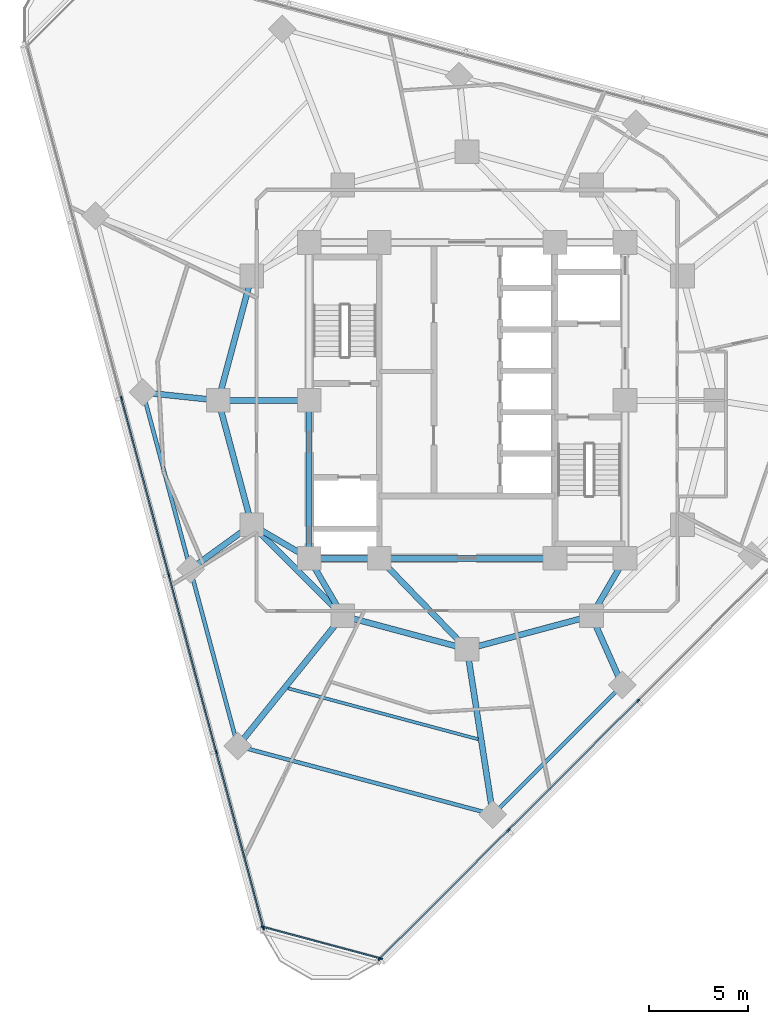
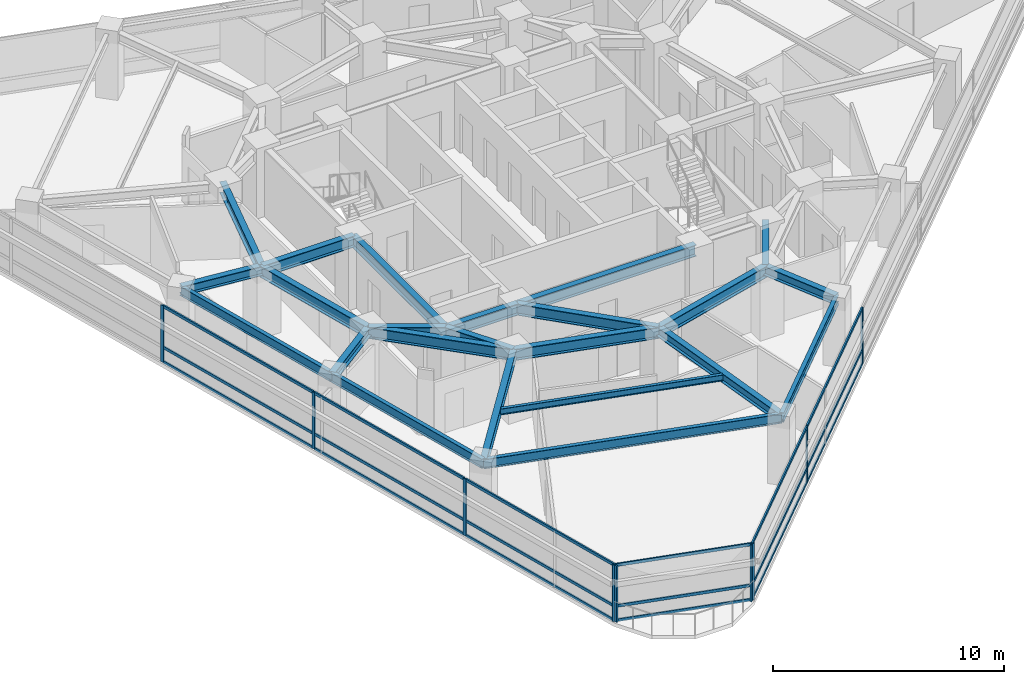
# One storey, part 2 of 14: 27 members, 23 beams, 3 elements without a shape of their own.
"""IFC4 building model written with IfcOpenShell, lengths in metres."""

from ifc_helpers import new_model, si_unit, direction, frame, origin, origin_2d, place, context, subcontext, project, spatial, rectangle, i_section, extrude, material, layer, layer_set, material_profile, profile_set, type_object, element, aggregate, save


model = new_model("IFC4")

# Units and contexts
model_context = context("Model", 3, precision=1e-05, world=origin(), true_north=direction((0.0, 1.0)))
body_context = subcontext(model_context, "Body", "Model", "MODEL_VIEW")
ifc_project = project(units=[si_unit("LENGTHUNIT", "METRE"), si_unit("AREAUNIT", "SQUARE_METRE"), si_unit("VOLUMEUNIT", "CUBIC_METRE"), si_unit("PLANEANGLEUNIT", "RADIAN"), si_unit("MASSUNIT", "GRAM", prefix="KILO")], contexts=[model_context])

# Site, building, storey
site_placement = place(None, origin())
site = spatial("IfcSite", under=ifc_project, at=site_placement, CompositionType="ELEMENT")
building_placement = place(site_placement, origin())
building = spatial("IfcBuilding", under=site, at=building_placement, Name="Terralouvre Media Tower", CompositionType="ELEMENT")
storey_placement = place(building_placement, frame((0.0, 0.0, 187.89990234375)))
storey = spatial("IfcBuildingStorey", under=building, at=storey_placement, Name="L48", CompositionType="ELEMENT", Elevation=187.89990234375)

# Beam
ifc_material_1 = material(Name="Structural steel S355J2", Category="steel")
ifc_material_profile_1 = material_profile(ifc_material_1, i_section(OverallWidth=0.159912109375, OverallDepth=0.330078125, WebThickness=0.007568359375, FlangeThickness=0.011474609375, at=origin_2d()), Name="IPE 330")
ifc_profile_set_1 = profile_set([ifc_material_profile_1], Name="Structural steel S355J2")
beam_type_1 = type_object("IfcBeamType", Name="Composite Floor Joist J-IPE330 (IPE 330)", PredefinedType="JOIST", material=ifc_profile_set_1)
beam_1_placement = place(storey_placement, frame((-9.067626953125, -14.58349609375, 3.335205078125), z_axis=(0.965923672222, -0.258827084055, 0.0), x_axis=(0.258827084055, 0.965923672222, 0.0)))
element("IfcBeam", 1, at=beam_1_placement, inside=storey, type_object=beam_type_1, Name="L48 Framing Beam JT-L48-01", PredefinedType="JOIST", context=body_context, shape_type="SweptSolid", body=[
    extrude(i_section(OverallWidth=0.159912109375, OverallDepth=0.330078125, WebThickness=0.007568359375, FlangeThickness=0.011474609375, at=origin_2d()), origin(), (0.0, 0.0, 1.0), 9.96826171875),
])

# Curtain wall, members
ifc_material_2 = material(Name="Low-iron laminated double glazing with solar-control coating", Category="glass")
ifc_layer_1 = layer(ifc_material_2, 0.1650390625, Name="Production Studio Tower Curtain Wall CW-03")
ifc_layer_set_1 = layer_set([ifc_layer_1], Name="Low-iron laminated double glazing with solar-control coating")
curtain_wall_type_1 = type_object("IfcCurtainWallType", Name="Production Studio Tower Curtain Wall CW-03", PredefinedType="NOTDEFINED", material=ifc_layer_set_1)
curtain_wall_1_placement = place(storey_placement, origin())
curtain_wall_1 = element("IfcCurtainWall", 2, at=curtain_wall_1_placement, inside=storey, type_object=curtain_wall_type_1, Name="L48 Facade Curtain Wall F0", PredefinedType="NOTDEFINED")
ifc_material_3 = material(Name="Anodised extruded aluminium 6063-T6", Category="aluminium")
ifc_material_profile_2 = material_profile(ifc_material_3, rectangle(XDim=0.074951171875, YDim=0.14990234375, at=origin_2d()), Name="ALU 75x150")
ifc_profile_set_2 = profile_set([ifc_material_profile_2], Name="Anodised extruded aluminium 6063-T6")
member_type_1 = type_object("IfcMemberType", Name="Curtain-Wall Horizontal Transom TR-150", PredefinedType="USERDEFINED", material=ifc_profile_set_2)
member_1_placement = place(storey_placement, frame((-4.399658203125, -28.27587890625, 0.03759765625), z_axis=(0.707106781187, 0.707106781187, 0.0), x_axis=(-0.707106781187, 0.707106781187, 0.0)))
member_1 = element("IfcMember", 3, at=member_1_placement, type_object=member_type_1, Name="CW-03 transom 1.1", ObjectType="TRANSOM", PredefinedType="USERDEFINED", context=body_context, shape_type="SweptSolid", body=[
    extrude(rectangle(XDim=0.074951171875, YDim=0.14990234375, at=origin_2d()), origin(), (0.0, 0.0, 1.0), 9.15966796875),
])
member_2_placement = place(storey_placement, frame((-4.399658203125, -28.27587890625, 0.800048828125), z_axis=(0.707106781187, 0.707106781187, 0.0), x_axis=(-0.707106781187, 0.707106781187, 0.0)))
member_2 = element("IfcMember", 4, at=member_2_placement, type_object=member_type_1, Name="CW-03 transom 1.2", ObjectType="TRANSOM", PredefinedType="USERDEFINED", context=body_context, shape_type="SweptSolid", body=[
    extrude(rectangle(XDim=0.074951171875, YDim=0.14990234375, at=origin_2d()), origin(), (0.0, 0.0, 1.0), 9.15966796875),
])
member_3_placement = place(storey_placement, frame((-4.399658203125, -28.27587890625, 2.962646484375), z_axis=(0.707106781187, 0.707106781187, 0.0), x_axis=(-0.707106781187, 0.707106781187, 0.0)))
member_3 = element("IfcMember", 5, at=member_3_placement, type_object=member_type_1, Name="CW-03 transom 1.3", ObjectType="TRANSOM", PredefinedType="USERDEFINED", context=body_context, shape_type="SweptSolid", body=[
    extrude(rectangle(XDim=0.074951171875, YDim=0.14990234375, at=origin_2d()), origin(), (0.0, 0.0, 1.0), 9.15966796875),
])
member_4_placement = place(storey_placement, frame((2.130126953125, -21.74609375, 0.03759765625), z_axis=(0.707093508293, 0.707120053831, 0.0), x_axis=(-0.707120053831, 0.707093508293, 0.0)))
member_4 = element("IfcMember", 6, at=member_4_placement, type_object=member_type_1, Name="CW-03 transom 2.1", ObjectType="TRANSOM", PredefinedType="USERDEFINED", context=body_context, shape_type="SweptSolid", body=[
    extrude(rectangle(XDim=0.074951171875, YDim=0.14990234375, at=origin_2d()), origin(), (0.0, 0.0, 1.0), 9.197021484375),
])
member_5_placement = place(storey_placement, frame((2.130126953125, -21.74609375, 0.800048828125), z_axis=(0.707093508293, 0.707120053831, 0.0), x_axis=(-0.707120053831, 0.707093508293, 0.0)))
member_5 = element("IfcMember", 7, at=member_5_placement, type_object=member_type_1, Name="CW-03 transom 2.2", ObjectType="TRANSOM", PredefinedType="USERDEFINED", context=body_context, shape_type="SweptSolid", body=[
    extrude(rectangle(XDim=0.074951171875, YDim=0.14990234375, at=origin_2d()), origin(), (0.0, 0.0, 1.0), 9.197021484375),
])
member_6_placement = place(storey_placement, frame((2.130126953125, -21.74609375, 2.962646484375), z_axis=(0.707093508293, 0.707120053831, 0.0), x_axis=(-0.707120053831, 0.707093508293, 0.0)))
member_6 = element("IfcMember", 8, at=member_6_placement, type_object=member_type_1, Name="CW-03 transom 2.3", ObjectType="TRANSOM", PredefinedType="USERDEFINED", context=body_context, shape_type="SweptSolid", body=[
    extrude(rectangle(XDim=0.074951171875, YDim=0.14990234375, at=origin_2d()), origin(), (0.0, 0.0, 1.0), 9.197021484375),
])

curtain_wall_2_placement = place(storey_placement, origin())
curtain_wall_2 = element("IfcCurtainWall", 9, at=curtain_wall_2_placement, inside=storey, type_object=curtain_wall_type_1, Name="L48 Facade Curtain Wall F2", PredefinedType="NOTDEFINED")
member_7_placement = place(storey_placement, frame((-17.497802734375, 0.072265625, 0.03759765625), z_axis=(0.25881569625, -0.965926723605, 0.0), x_axis=(0.965926723605, 0.25881569625, 0.0)))
member_7 = element("IfcMember", 10, at=member_7_placement, type_object=member_type_1, Name="CW-03 transom 3.1", ObjectType="TRANSOM", PredefinedType="USERDEFINED", context=body_context, shape_type="SweptSolid", body=[
    extrude(rectangle(XDim=0.074951171875, YDim=0.14990234375, at=origin_2d()), origin(), (0.0, 0.0, 1.0), 9.197265625),
])
member_8_placement = place(storey_placement, frame((-17.497802734375, 0.072265625, 0.800048828125), z_axis=(0.25881569625, -0.965926723605, 0.0), x_axis=(0.965926723605, 0.25881569625, 0.0)))
member_8 = element("IfcMember", 11, at=member_8_placement, type_object=member_type_1, Name="CW-03 transom 3.2", ObjectType="TRANSOM", PredefinedType="USERDEFINED", context=body_context, shape_type="SweptSolid", body=[
    extrude(rectangle(XDim=0.074951171875, YDim=0.14990234375, at=origin_2d()), origin(), (0.0, 0.0, 1.0), 9.197265625),
])
member_9_placement = place(storey_placement, frame((-17.497802734375, 0.072265625, 2.962646484375), z_axis=(0.25881569625, -0.965926723605, 0.0), x_axis=(0.965926723605, 0.25881569625, 0.0)))
member_9 = element("IfcMember", 12, at=member_9_placement, type_object=member_type_1, Name="CW-03 transom 3.3", ObjectType="TRANSOM", PredefinedType="USERDEFINED", context=body_context, shape_type="SweptSolid", body=[
    extrude(rectangle(XDim=0.074951171875, YDim=0.14990234375, at=origin_2d()), origin(), (0.0, 0.0, 1.0), 9.197265625),
])
member_10_placement = place(storey_placement, frame((-15.09814453125, -8.8837890625, 0.03759765625), z_axis=(0.25881569625, -0.965926723605, 0.0), x_axis=(0.965926723605, 0.25881569625, 0.0)))
member_10 = element("IfcMember", 13, at=member_10_placement, type_object=member_type_1, Name="CW-03 transom 4.1", ObjectType="TRANSOM", PredefinedType="USERDEFINED", context=body_context, shape_type="SweptSolid", body=[
    extrude(rectangle(XDim=0.074951171875, YDim=0.14990234375, at=origin_2d()), origin(), (0.0, 0.0, 1.0), 9.197265625),
])
member_11_placement = place(storey_placement, frame((-15.09814453125, -8.8837890625, 0.800048828125), z_axis=(0.25881569625, -0.965926723605, 0.0), x_axis=(0.965926723605, 0.25881569625, 0.0)))
member_11 = element("IfcMember", 14, at=member_11_placement, type_object=member_type_1, Name="CW-03 transom 4.2", ObjectType="TRANSOM", PredefinedType="USERDEFINED", context=body_context, shape_type="SweptSolid", body=[
    extrude(rectangle(XDim=0.074951171875, YDim=0.14990234375, at=origin_2d()), origin(), (0.0, 0.0, 1.0), 9.197265625),
])
member_12_placement = place(storey_placement, frame((-15.09814453125, -8.8837890625, 2.962646484375), z_axis=(0.25881569625, -0.965926723605, 0.0), x_axis=(0.965926723605, 0.25881569625, 0.0)))
member_12 = element("IfcMember", 15, at=member_12_placement, type_object=member_type_1, Name="CW-03 transom 4.3", ObjectType="TRANSOM", PredefinedType="USERDEFINED", context=body_context, shape_type="SweptSolid", body=[
    extrude(rectangle(XDim=0.074951171875, YDim=0.14990234375, at=origin_2d()), origin(), (0.0, 0.0, 1.0), 9.197265625),
])
member_13_placement = place(storey_placement, frame((-12.6982421875, -17.83984375, 0.03759765625), z_axis=(0.25881380313, -0.965927230856, 0.0), x_axis=(0.965927230856, 0.25881380313, 0.0)))
member_13 = element("IfcMember", 16, at=member_13_placement, type_object=member_type_1, Name="CW-03 transom 5.1", ObjectType="TRANSOM", PredefinedType="USERDEFINED", context=body_context, shape_type="SweptSolid", body=[
    extrude(rectangle(XDim=0.074951171875, YDim=0.14990234375, at=origin_2d()), origin(), (0.0, 0.0, 1.0), 9.159423828125),
])
member_14_placement = place(storey_placement, frame((-12.6982421875, -17.83984375, 0.800048828125), z_axis=(0.25881380313, -0.965927230856, 0.0), x_axis=(0.965927230856, 0.25881380313, 0.0)))
member_14 = element("IfcMember", 17, at=member_14_placement, type_object=member_type_1, Name="CW-03 transom 5.2", ObjectType="TRANSOM", PredefinedType="USERDEFINED", context=body_context, shape_type="SweptSolid", body=[
    extrude(rectangle(XDim=0.074951171875, YDim=0.14990234375, at=origin_2d()), origin(), (0.0, 0.0, 1.0), 9.159423828125),
])
member_15_placement = place(storey_placement, frame((-12.6982421875, -17.83984375, 2.962646484375), z_axis=(0.25881380313, -0.965927230856, 0.0), x_axis=(0.965927230856, 0.25881380313, 0.0)))
member_15 = element("IfcMember", 18, at=member_15_placement, type_object=member_type_1, Name="CW-03 transom 5.3", ObjectType="TRANSOM", PredefinedType="USERDEFINED", context=body_context, shape_type="SweptSolid", body=[
    extrude(rectangle(XDim=0.074951171875, YDim=0.14990234375, at=origin_2d()), origin(), (0.0, 0.0, 1.0), 9.159423828125),
])

ifc_material_4 = material(Name="Low-iron laminated double glazing with solar-control coating", Category="glass")
ifc_layer_2 = layer(ifc_material_4, 0.1650390625, Name="Rounded Wind-Corner Curved Glazing CW-04")
ifc_layer_set_2 = layer_set([ifc_layer_2], Name="Low-iron laminated double glazing with solar-control coating")
curtain_wall_type_2 = type_object("IfcCurtainWallType", Name="Rounded Wind-Corner Curved Glazing CW-04", PredefinedType="NOTDEFINED", material=ifc_layer_set_2)
curtain_wall_3_placement = place(storey_placement, origin())
curtain_wall_3 = element("IfcCurtainWall", 19, at=curtain_wall_3_placement, inside=storey, type_object=curtain_wall_type_2, Name="L48 Rounded Wind-Corner Curtain Wall C0", PredefinedType="NOTDEFINED")
member_16_placement = place(storey_placement, frame((-10.3154296875, -26.675048828125, 0.03759765625), z_axis=(0.965924368155, -0.25882448687, 0.0), x_axis=(0.25882448687, 0.965924368155, 0.0)))
member_16 = element("IfcMember", 20, at=member_16_placement, type_object=member_type_1, Name="CW-04 transom 1.1", ObjectType="TRANSOM", PredefinedType="USERDEFINED", context=body_context, shape_type="SweptSolid", body=[
    extrude(rectangle(XDim=0.074951171875, YDim=0.14990234375, at=origin_2d()), origin(), (0.0, 0.0, 1.0), 6.119873046875),
])
member_17_placement = place(storey_placement, frame((-10.3154296875, -26.675048828125, 0.800048828125), z_axis=(0.965924368155, -0.25882448687, 0.0), x_axis=(0.25882448687, 0.965924368155, 0.0)))
member_17 = element("IfcMember", 21, at=member_17_placement, type_object=member_type_1, Name="CW-04 transom 1.2", ObjectType="TRANSOM", PredefinedType="USERDEFINED", context=body_context, shape_type="SweptSolid", body=[
    extrude(rectangle(XDim=0.074951171875, YDim=0.14990234375, at=origin_2d()), origin(), (0.0, 0.0, 1.0), 6.119873046875),
])
member_18_placement = place(storey_placement, frame((-10.3154296875, -26.675048828125, 2.962646484375), z_axis=(0.965924368155, -0.25882448687, 0.0), x_axis=(0.25882448687, 0.965924368155, 0.0)))
member_18 = element("IfcMember", 22, at=member_18_placement, type_object=member_type_1, Name="CW-04 transom 1.3", ObjectType="TRANSOM", PredefinedType="USERDEFINED", context=body_context, shape_type="SweptSolid", body=[
    extrude(rectangle(XDim=0.074951171875, YDim=0.14990234375, at=origin_2d()), origin(), (0.0, 0.0, 1.0), 6.119873046875),
])

# Member
ifc_material_5 = material(Name="Anodised extruded aluminium 6063-T6", Category="aluminium")
ifc_material_profile_3 = material_profile(ifc_material_5, rectangle(XDim=0.074951171875, YDim=0.179931640625, at=origin_2d()), Name="ALU 75x180")
ifc_profile_set_3 = profile_set([ifc_material_profile_3], Name="Anodised extruded aluminium 6063-T6")
member_type_2 = type_object("IfcMemberType", Name="Curtain-Wall Vertical Mullion ML-180", PredefinedType="MULLION", material=ifc_profile_set_3)
member_19_placement = place(storey_placement, frame((-4.42626953125, -28.30224609375, 0.0), z_axis=(0.0, 0.0, 1.0), x_axis=(-0.707106781187, 0.707106781187, 0.0)))
member_19 = element("IfcMember", 23, at=member_19_placement, type_object=member_type_2, Name="CW-03 mullion 1", PredefinedType="MULLION", context=body_context, shape_type="SweptSolid", body=[
    extrude(rectangle(XDim=0.074951171875, YDim=0.179931640625, at=origin_2d()), origin(), (0.0, 0.0, 1.0), 3.0),
])

member_20_placement = place(storey_placement, frame((2.103515625, -21.7724609375, 0.0), z_axis=(0.0, 0.0, 1.0), x_axis=(-0.707106781187, 0.707106781187, 0.0)))
member_20 = element("IfcMember", 24, at=member_20_placement, type_object=member_type_2, Name="CW-03 mullion 2", PredefinedType="MULLION", context=body_context, shape_type="SweptSolid", body=[
    extrude(rectangle(XDim=0.074951171875, YDim=0.179931640625, at=origin_2d()), origin(), (0.0, 0.0, 1.0), 3.0),
])

member_21_placement = place(storey_placement, frame((8.659912109375, -15.21630859375, 0.0), z_axis=(0.0, 0.0, 1.0), x_axis=(-0.707106781187, 0.707106781187, 0.0)))
member_21 = element("IfcMember", 25, at=member_21_placement, type_object=member_type_2, Name="CW-03 mullion 3", PredefinedType="MULLION", context=body_context, shape_type="SweptSolid", body=[
    extrude(rectangle(XDim=0.074951171875, YDim=0.179931640625, at=origin_2d()), origin(), (0.0, 0.0, 1.0), 3.0),
])

aggregate(curtain_wall_1, [member_19, member_20, member_21, member_1, member_2, member_3, member_4, member_5, member_6])

member_22_placement = place(storey_placement, frame((-17.507568359375, 0.1083984375, 0.0), z_axis=(0.0, 0.0, 1.0), x_axis=(0.96592582942, 0.25881903342, 0.0)))
member_22 = element("IfcMember", 26, at=member_22_placement, type_object=member_type_2, Name="CW-03 mullion 3", PredefinedType="MULLION", context=body_context, shape_type="SweptSolid", body=[
    extrude(rectangle(XDim=0.074951171875, YDim=0.179931640625, at=origin_2d()), origin(), (0.0, 0.0, 1.0), 3.0),
])

member_23_placement = place(storey_placement, frame((-15.10791015625, -8.84765625, 0.0), z_axis=(0.0, 0.0, 1.0), x_axis=(0.96592582942, 0.25881903342, 0.0)))
member_23 = element("IfcMember", 27, at=member_23_placement, type_object=member_type_2, Name="CW-03 mullion 4", PredefinedType="MULLION", context=body_context, shape_type="SweptSolid", body=[
    extrude(rectangle(XDim=0.074951171875, YDim=0.179931640625, at=origin_2d()), origin(), (0.0, 0.0, 1.0), 3.0),
])

member_24_placement = place(storey_placement, frame((-12.7080078125, -17.8037109375, 0.0), z_axis=(0.0, 0.0, 1.0), x_axis=(0.96592582942, 0.25881903342, 0.0)))
member_24 = element("IfcMember", 28, at=member_24_placement, type_object=member_type_2, Name="CW-03 mullion 5", PredefinedType="MULLION", context=body_context, shape_type="SweptSolid", body=[
    extrude(rectangle(XDim=0.074951171875, YDim=0.179931640625, at=origin_2d()), origin(), (0.0, 0.0, 1.0), 3.0),
])

member_25_placement = place(storey_placement, frame((-10.31787109375, -26.7236328125, 0.0), z_axis=(0.0, 0.0, 1.0), x_axis=(0.96592582942, 0.25881903342, 0.0)))
member_25 = element("IfcMember", 29, at=member_25_placement, type_object=member_type_2, Name="CW-03 mullion 6", PredefinedType="MULLION", context=body_context, shape_type="SweptSolid", body=[
    extrude(rectangle(XDim=0.074951171875, YDim=0.179931640625, at=origin_2d()), origin(), (0.0, 0.0, 1.0), 3.0),
])

aggregate(curtain_wall_2, [member_22, member_23, member_24, member_25, member_7, member_8, member_9, member_10, member_11, member_12, member_13, member_14, member_15])

member_26_placement = place(storey_placement, frame((-10.351806640625, -26.665283203125, 0.0), z_axis=(0.0, 0.0, 1.0), x_axis=(0.258818728144, 0.965925911218, 0.0)))
member_26 = element("IfcMember", 30, at=member_26_placement, type_object=member_type_2, Name="CW-04 mullion 1", PredefinedType="MULLION", context=body_context, shape_type="SweptSolid", body=[
    extrude(rectangle(XDim=0.074951171875, YDim=0.179931640625, at=origin_2d()), origin(), (0.0, 0.0, 1.0), 3.0),
])

member_27_placement = place(storey_placement, frame((-4.367919921875, -28.268798828125, 0.0), z_axis=(0.0, 0.0, 1.0), x_axis=(0.258818728144, 0.965925911218, 0.0)))
member_27 = element("IfcMember", 31, at=member_27_placement, type_object=member_type_2, Name="CW-04 mullion 2", PredefinedType="MULLION", context=body_context, shape_type="SweptSolid", body=[
    extrude(rectangle(XDim=0.074951171875, YDim=0.179931640625, at=origin_2d()), origin(), (0.0, 0.0, 1.0), 3.0),
])

aggregate(curtain_wall_3, [member_26, member_27, member_16, member_17, member_18])

# Beams
ifc_material_6 = material(Name="Structural steel S355J2", Category="steel")
ifc_material_profile_4 = material_profile(ifc_material_6, i_section(OverallWidth=0.199951171875, OverallDepth=0.5, WebThickness=0.01025390625, FlangeThickness=0.01611328125, at=origin_2d()), Name="IPE 500")
ifc_profile_set_4 = profile_set([ifc_material_profile_4], Name="Structural steel S355J2")
beam_type_2 = type_object("IfcBeamType", Name="Perimeter Spandrel Beam SPB-500 (IPE 500)", PredefinedType="SPANDREL", material=ifc_profile_set_4)
beam_2_placement = place(storey_placement, frame((-14.016357421875, -8.55517578125, 3.25), z_axis=(0.258832601786, -0.965922193685, 0.0), x_axis=(0.965922193685, 0.258832601786, 0.0)))
element("IfcBeam", 32, at=beam_2_placement, inside=storey, type_object=beam_type_2, Name="L48 Framing Beam BM-L48-PR01", PredefinedType="SPANDREL", context=body_context, shape_type="SweptSolid", body=[
    extrude(i_section(OverallWidth=0.199951171875, OverallDepth=0.5, WebThickness=0.01025390625, FlangeThickness=0.01611328125, at=origin_2d()), origin(), (0.0, 0.0, 1.0), 9.27197265625),
])
beam_3_placement = place(storey_placement, frame((-11.616455078125, -17.51123046875, 3.25), z_axis=(0.965926789058, -0.258815451972, 0.0), x_axis=(0.258815451972, 0.965926789058, 0.0)))
element("IfcBeam", 33, at=beam_3_placement, inside=storey, type_object=beam_type_2, Name="L48 Framing Beam BM-L48-PR02", PredefinedType="SPANDREL", context=body_context, shape_type="SweptSolid", body=[
    extrude(i_section(OverallWidth=0.199951171875, OverallDepth=0.5, WebThickness=0.01025390625, FlangeThickness=0.01611328125, at=origin_2d()), origin(), (0.0, 0.0, 1.0), 13.376953125),
])
beam_4_placement = place(storey_placement, frame((1.3046875, -20.973388671875, 3.25), z_axis=(0.707106781187, 0.707106781187, 0.0), x_axis=(-0.707106781187, 0.707106781187, 0.0)))
element("IfcBeam", 34, at=beam_4_placement, inside=storey, type_object=beam_type_2, Name="L48 Framing Beam BM-L48-PR03", PredefinedType="SPANDREL", context=body_context, shape_type="SweptSolid", body=[
    extrude(i_section(OverallWidth=0.199951171875, OverallDepth=0.5, WebThickness=0.01025390625, FlangeThickness=0.01611328125, at=origin_2d()), origin(), (0.0, 0.0, 1.0), 9.271728515625),
])
beam_5_placement = place(storey_placement, frame((-16.416015625, 0.40087890625, 3.25), z_axis=(0.258808034669, -0.965928776458, 0.0), x_axis=(0.965928776458, 0.258808034669, 0.0)))
element("IfcBeam", 35, at=beam_5_placement, inside=storey, type_object=beam_type_2, Name="L48 Framing Beam BM-L48-PR12", PredefinedType="SPANDREL", context=body_context, shape_type="SweptSolid", body=[
    extrude(i_section(OverallWidth=0.199951171875, OverallDepth=0.5, WebThickness=0.01025390625, FlangeThickness=0.01611328125, at=origin_2d()), origin(), (0.0, 0.0, 1.0), 9.27197265625),
])
ifc_material_7 = material(Name="Structural steel S355J2", Category="steel")
ifc_material_profile_5 = material_profile(ifc_material_7, i_section(OverallWidth=0.300048828125, OverallDepth=0.5, WebThickness=0.014404296875, FlangeThickness=0.028076171875, at=origin_2d()), Name="HEB 500")
ifc_profile_set_5 = profile_set([ifc_material_profile_5], Name="Structural steel S355J2")
beam_type_3 = type_object("IfcBeamType", Name="Primary Floor Girder B-HEB500 (HEB 500)", PredefinedType="BEAM", material=ifc_profile_set_5)
beam_6_placement = place(storey_placement, frame((-10.911865234375, -6.300048828125, 3.25), z_axis=(-0.809068873767, -0.587713839807, 0.0), x_axis=(0.587713839807, -0.809068873767, 0.0)))
element("IfcBeam", 36, at=beam_6_placement, inside=storey, type_object=beam_type_3, Name="L48 Framing Beam BM-L48-RD01", PredefinedType="BEAM", context=body_context, shape_type="SweptSolid", body=[
    extrude(i_section(OverallWidth=0.300048828125, OverallDepth=0.5, WebThickness=0.014404296875, FlangeThickness=0.028076171875, at=origin_2d()), origin(), (0.0, 0.0, 1.0), 3.837158203125),
])
for number, where, z_axis, x_axis, name in (
    (37, (-6.300048828125, -10.911865234375, 3.25), (-0.62734749454, -0.778739443649, 0.0), (0.778739443649, -0.62734749454, 0.0), "L48 Framing Beam BM-L48-RD02"),
    (38, (0.0, -12.60009765625, 3.25), (0.153957660154, -0.988077445791, 0.0), (0.988077445791, 0.153957660154, 0.0), "L48 Framing Beam BM-L48-RD03"),
):
    element("IfcBeam", number, at=place(storey_placement, frame(where, z_axis=z_axis, x_axis=x_axis)), inside=storey, type_object=beam_type_3, Name=name, PredefinedType="BEAM", context=body_context, shape_type="SweptSolid", body=[
        extrude(i_section(OverallWidth=0.300048828125, OverallDepth=0.5, WebThickness=0.014404296875, FlangeThickness=0.028076171875, at=origin_2d()), origin(), (0.0, 0.0, 1.0), 8.474365234375),
    ])
beam_7_placement = place(storey_placement, frame((6.300048828125, -10.911865234375, 3.25), z_axis=(0.406758229915, -0.913535846257, 0.0), x_axis=(0.913535846257, 0.406758229915, 0.0)))
element("IfcBeam", 39, at=beam_7_placement, inside=storey, type_object=beam_type_3, Name="L48 Framing Beam BM-L48-RD04", PredefinedType="BEAM", context=body_context, shape_type="SweptSolid", body=[
    extrude(i_section(OverallWidth=0.300048828125, OverallDepth=0.5, WebThickness=0.014404296875, FlangeThickness=0.028076171875, at=origin_2d()), origin(), (0.0, 0.0, 1.0), 3.837158203125),
])
beam_8_placement = place(storey_placement, frame((-12.60009765625, 0.0, 3.25), z_axis=(-0.994527048272, 0.104479425033, 0.0), x_axis=(-0.104479425033, -0.994527048272, 0.0)))
element("IfcBeam", 40, at=beam_8_placement, inside=storey, type_object=beam_type_3, Name="L48 Framing Beam BM-L48-RD12", PredefinedType="BEAM", context=body_context, shape_type="SweptSolid", body=[
    extrude(i_section(OverallWidth=0.300048828125, OverallDepth=0.5, WebThickness=0.014404296875, FlangeThickness=0.028076171875, at=origin_2d()), origin(), (0.0, 0.0, 1.0), 3.8369140625),
])
ifc_material_8 = material(Name="Structural steel S460M", Category="steel")
ifc_material_profile_6 = material_profile(ifc_material_8, i_section(OverallWidth=0.300048828125, OverallDepth=0.60009765625, WebThickness=0.015380859375, FlangeThickness=0.030029296875, at=origin_2d()), Name="HEB 600")
ifc_profile_set_6 = profile_set([ifc_material_profile_6], Name="Structural steel S460M")
beam_type_4 = type_object("IfcBeamType", Name="Primary Floor Girder B-HEB600 (HEB 600)", PredefinedType="BEAM", material=ifc_profile_set_6)
beam_9_placement = place(storey_placement, frame((-8.0, -8.0, 3.2001953125), z_axis=(1.0, 0.0, 0.0), x_axis=(0.0, 1.0, 0.0)))
element("IfcBeam", 41, at=beam_9_placement, inside=storey, type_object=beam_type_4, Name="L48 Framing Beam BM-L48-CPR01", PredefinedType="BEAM", context=body_context, shape_type="SweptSolid", body=[
    extrude(i_section(OverallWidth=0.300048828125, OverallDepth=0.60009765625, WebThickness=0.015380859375, FlangeThickness=0.030029296875, at=origin_2d()), origin(), (0.0, 0.0, 1.0), 3.550048828125),
])
beam_10_placement = place(storey_placement, frame((-4.449951171875, -8.0, 3.2001953125), z_axis=(1.0, 0.0, 0.0), x_axis=(0.0, 1.0, 0.0)))
element("IfcBeam", 42, at=beam_10_placement, inside=storey, type_object=beam_type_4, Name="L48 Framing Beam BM-L48-CPR02", PredefinedType="BEAM", context=body_context, shape_type="SweptSolid", body=[
    extrude(i_section(OverallWidth=0.300048828125, OverallDepth=0.60009765625, WebThickness=0.015380859375, FlangeThickness=0.030029296875, at=origin_2d()), origin(), (0.0, 0.0, 1.0), 8.89990234375),
])
beam_11_placement = place(storey_placement, frame((-8.0, 0.0, 3.2001953125), z_axis=(0.0, -1.0, 0.0), x_axis=(1.0, 0.0, 0.0)))
element("IfcBeam", 43, at=beam_11_placement, inside=storey, type_object=beam_type_4, Name="L48 Framing Beam BM-L48-CPR10", PredefinedType="BEAM", context=body_context, shape_type="SweptSolid", body=[
    extrude(i_section(OverallWidth=0.300048828125, OverallDepth=0.60009765625, WebThickness=0.015380859375, FlangeThickness=0.030029296875, at=origin_2d()), origin(), (0.0, 0.0, 1.0), 8.0),
])
beam_12_placement = place(storey_placement, frame((-10.911865234375, -6.300048828125, 3.2001953125), z_axis=(0.707106781187, -0.707106781187, 0.0), x_axis=(0.707106781187, 0.707106781187, 0.0)))
element("IfcBeam", 44, at=beam_12_placement, inside=storey, type_object=beam_type_4, Name="L48 Framing Beam BM-L48-MR01", PredefinedType="BEAM", context=body_context, shape_type="SweptSolid", body=[
    extrude(i_section(OverallWidth=0.300048828125, OverallDepth=0.60009765625, WebThickness=0.015380859375, FlangeThickness=0.030029296875, at=origin_2d()), origin(), (0.0, 0.0, 1.0), 6.52197265625),
])
for number, where, z_axis, x_axis, name in (
    (45, (-6.300048828125, -10.911865234375, 3.2001953125), (0.965920481897, -0.258838989821, 0.0), (0.258838989821, 0.965920481897, 0.0), "L48 Framing Beam BM-L48-MR02"),
    (46, (0.0, -12.60009765625, 3.2001953125), (0.965920481897, 0.258838989821, 0.0), (-0.258838989821, 0.965920481897, 0.0), "L48 Framing Beam BM-L48-MR03"),
    (47, (-10.911865234375, 6.300048828125, 3.2001953125), (-0.258838989821, -0.965920481897, 0.0), (0.965920481897, -0.258838989821, 0.0), "L48 Framing Beam BM-L48-MR11"),
    (48, (-12.60009765625, 0.0, 3.2001953125), (0.258838989821, -0.965920481897, 0.0), (0.965920481897, 0.258838989821, 0.0), "L48 Framing Beam BM-L48-MR12"),
):
    element("IfcBeam", number, at=place(storey_placement, frame(where, z_axis=z_axis, x_axis=x_axis)), inside=storey, type_object=beam_type_4, Name=name, PredefinedType="BEAM", context=body_context, shape_type="SweptSolid", body=[
        extrude(i_section(OverallWidth=0.300048828125, OverallDepth=0.60009765625, WebThickness=0.015380859375, FlangeThickness=0.030029296875, at=origin_2d()), origin(), (0.0, 0.0, 1.0), 6.522216796875),
    ])
for number, where, z_axis, x_axis, name in (
    (49, (-8.0, -8.0, 3.2001953125), (-0.863602894532, 0.504172629717, 0.0), (-0.504172629717, -0.863602894532, 0.0), "L48 Framing Beam BM-L48-CM01"),
    (50, (-8.0, -8.0, 3.2001953125), (0.504172629717, -0.863602894532, 0.0), (0.863602894532, 0.504172629717, 0.0), "L48 Framing Beam BM-L48-CM02"),
):
    element("IfcBeam", number, at=place(storey_placement, frame(where, z_axis=z_axis, x_axis=x_axis)), inside=storey, type_object=beam_type_4, Name=name, PredefinedType="BEAM", context=body_context, shape_type="SweptSolid", body=[
        extrude(i_section(OverallWidth=0.300048828125, OverallDepth=0.60009765625, WebThickness=0.015380859375, FlangeThickness=0.030029296875, at=origin_2d()), origin(), (0.0, 0.0, 1.0), 3.371826171875),
    ])
beam_13_placement = place(storey_placement, frame((-4.449951171875, -8.0, 3.2001953125), z_axis=(0.695279715726, -0.718739255155, 0.0), x_axis=(0.718739255155, 0.695279715726, 0.0)))
element("IfcBeam", 51, at=beam_13_placement, inside=storey, type_object=beam_type_4, Name="L48 Framing Beam BM-L48-CM03", PredefinedType="BEAM", context=body_context, shape_type="SweptSolid", body=[
    extrude(i_section(OverallWidth=0.300048828125, OverallDepth=0.60009765625, WebThickness=0.015380859375, FlangeThickness=0.030029296875, at=origin_2d()), origin(), (0.0, 0.0, 1.0), 6.400146484375),
])
beam_14_placement = place(storey_placement, frame((8.0, -8.0, 3.2001953125), z_axis=(-0.504172629717, -0.863602894532, 0.0), x_axis=(0.863602894532, -0.504172629717, 0.0)))
element("IfcBeam", 52, at=beam_14_placement, inside=storey, type_object=beam_type_4, Name="L48 Framing Beam BM-L48-CM04", PredefinedType="BEAM", context=body_context, shape_type="SweptSolid", body=[
    extrude(i_section(OverallWidth=0.300048828125, OverallDepth=0.60009765625, WebThickness=0.015380859375, FlangeThickness=0.030029296875, at=origin_2d()), origin(), (0.0, 0.0, 1.0), 3.371826171875),
])
beam_15_placement = place(storey_placement, frame((-8.0, 0.0, 3.2001953125), z_axis=(-1.0, 0.0, 0.0), x_axis=(0.0, -1.0, 0.0)))
element("IfcBeam", 53, at=beam_15_placement, inside=storey, type_object=beam_type_4, Name="L48 Framing Beam BM-L48-CM12", PredefinedType="BEAM", context=body_context, shape_type="SweptSolid", body=[
    extrude(i_section(OverallWidth=0.300048828125, OverallDepth=0.60009765625, WebThickness=0.015380859375, FlangeThickness=0.030029296875, at=origin_2d()), origin(), (0.0, 0.0, 1.0), 4.60009765625),
])

save(model, "model.ifc")
